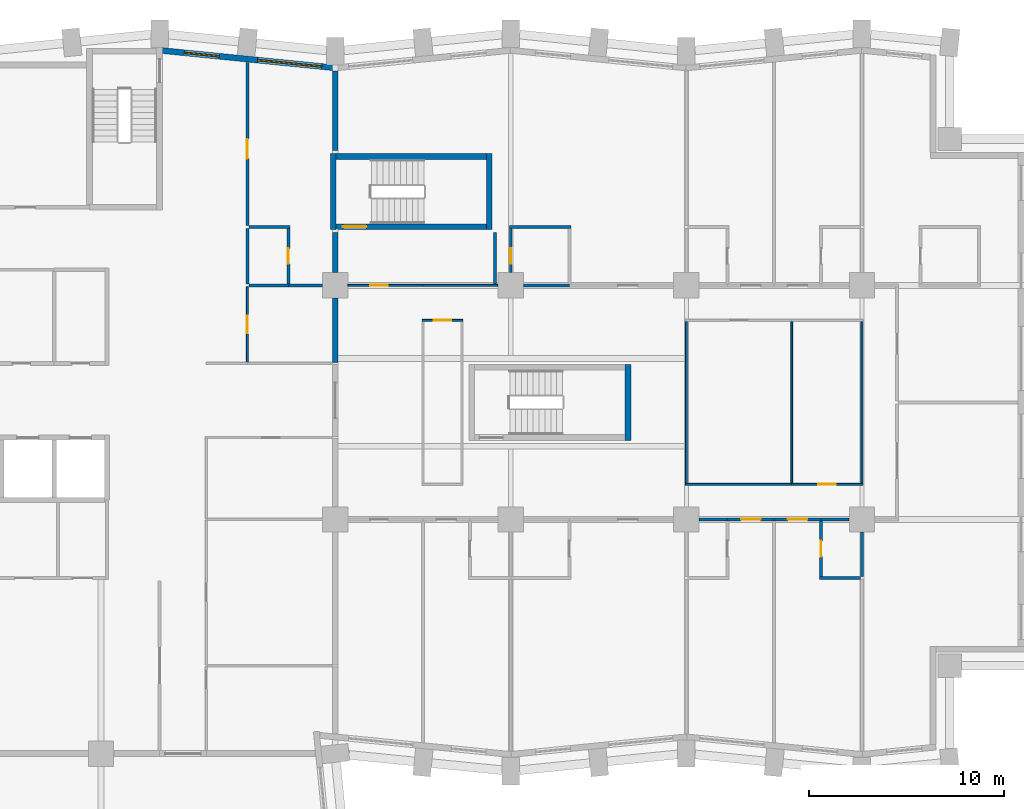
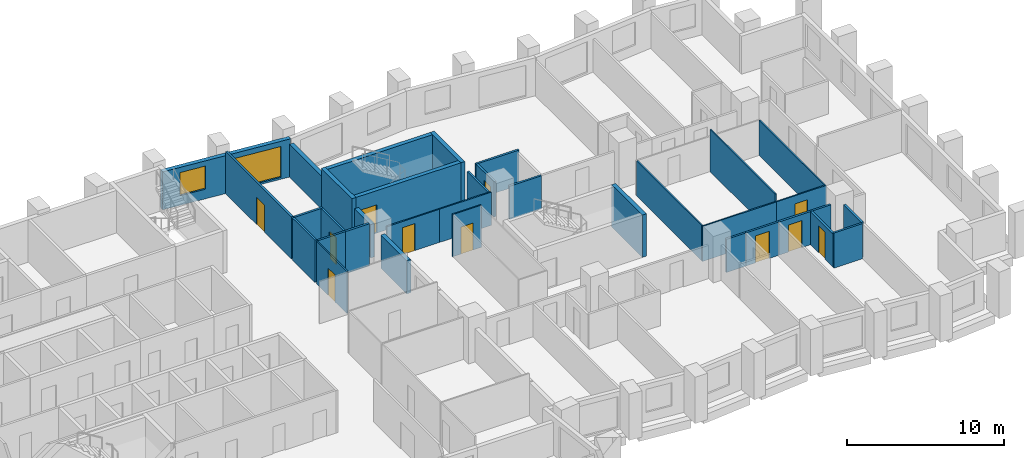
# One storey, part 8 of 13: 35 walls, 11 doors, 2 windows, 13 openings.
"""IFC4 building model written with IfcOpenShell, lengths in metres."""

from ifc_helpers import new_model, si_unit, direction, frame, frame_2d, origin, place, context, subcontext, project, spatial, rectangle, extrude, material, layer, layer_set, type_object, element, fill, save


model = new_model("IFC4")

# Units and contexts
model_context = context("Model", 3, precision=1e-05, world=origin(), true_north=direction((0.0, 1.0)))
body_context = subcontext(model_context, "Body", "Model", "MODEL_VIEW")
ifc_project = project(units=[si_unit("LENGTHUNIT", "METRE"), si_unit("AREAUNIT", "SQUARE_METRE"), si_unit("VOLUMEUNIT", "CUBIC_METRE"), si_unit("PLANEANGLEUNIT", "RADIAN"), si_unit("MASSUNIT", "GRAM", prefix="KILO")], contexts=[model_context])

# Site, building, storey
site_placement = place(None, origin())
site = spatial("IfcSite", under=ifc_project, at=site_placement, CompositionType="ELEMENT")
building_placement = place(site_placement, origin())
building = spatial("IfcBuilding", under=site, at=building_placement, Name="Brondeck Convention Tower", CompositionType="ELEMENT")
storey_placement = place(building_placement, frame((0.0, 0.0, 69.89990234375)))
storey = spatial("IfcBuildingStorey", under=building, at=storey_placement, Name="L15", CompositionType="ELEMENT", Elevation=69.89990234375)

# Walls
ifc_material_1 = material(Name="Concrete compartment wall C30/37", Category="concrete")
ifc_layer_1 = layer(ifc_material_1, 0.300048828125)
ifc_layer_set_1 = layer_set([ifc_layer_1], Name="Compartment wall 300")
wall_type_1 = type_object("IfcWallType", Name="Compartment wall 300", PredefinedType="PARTITIONING", material=ifc_layer_set_1)
wall_1_placement = place(storey_placement, frame((36.0, 50.344970703125, 0.0), z_axis=(0.0, 0.0, 1.0), x_axis=(0.0, -1.0, 0.0)))
element("IfcWall", 1, at=wall_1_placement, inside=storey, type_object=wall_type_1, Name="FLR-L15-W092", PredefinedType="PARTITIONING", context=body_context, shape_type="SweptSolid", body=[
    extrude(rectangle(XDim=3.294921875, YDim=0.300048828125, at=frame_2d((1.6474609375, 0.0))), origin(), (0.0, 0.0, 1.0), 2.580078125),
])
wall_2_placement = place(storey_placement, frame((36.0, 53.699951171875, 0.0), z_axis=(0.0, 0.0, 1.0), x_axis=(0.0, -1.0, 0.0)))
element("IfcWall", 2, at=wall_2_placement, inside=storey, type_object=wall_type_1, Name="FLR-L15-W111", PredefinedType="PARTITIONING", context=body_context, shape_type="SweptSolid", body=[
    extrude(rectangle(XDim=2.044921875, YDim=0.300048828125, at=frame_2d((1.0224609375, 0.0))), origin(), (0.0, 0.0, 1.0), 2.580078125),
])
wall_3_placement = place(storey_placement, frame((36.0, 61.97509765625, 0.0), z_axis=(0.0, 0.0, 1.0), x_axis=(0.0, -1.0, 0.0)))
element("IfcWall", 3, at=wall_3_placement, inside=storey, type_object=wall_type_1, Name="FLR-L15-W124", PredefinedType="PARTITIONING", context=body_context, shape_type="SweptSolid", body=[
    extrude(rectangle(XDim=4.0751953125, YDim=0.300048828125, at=frame_2d((2.03759765625, 0.0))), origin(), (0.0, 0.0, 1.0), 2.580078125),
])

# Wall, openings, windows
ifc_material_2 = material(Name="Precast concrete C50/60 bronze finish", Category="concrete")
ifc_layer_2 = layer(ifc_material_2, 0.070068359375, Name="Bronze precast facing")
ifc_material_3 = material(Name="Mineral wool")
ifc_layer_3 = layer(ifc_material_3, 0.159912109375, Name="Insulation")
ifc_material_4 = material(Name="Concrete C35/45", Category="concrete")
ifc_layer_4 = layer(ifc_material_4, 0.070068359375, Name="Backing")
ifc_layer_set_2 = layer_set([ifc_layer_2, ifc_layer_3, ifc_layer_4], Name="External infill wall, precast concrete C50/60 bronze facing")
wall_type_2 = type_object("IfcWallType", Name="External infill wall, precast concrete C50/60 bronze facing", PredefinedType="SOLIDWALL", material=ifc_layer_set_2)
wall_4_placement = place(storey_placement, frame((27.064697265625, 63.039306640625, 0.0), z_axis=(0.0, 0.0, 1.0), x_axis=(0.995036379926, -0.099511821531, 0.0)))
wall_4 = element("IfcWall", 4, at=wall_4_placement, inside=storey, type_object=wall_type_2, Name="ENV-EW-L15-P0-A-N-07", PredefinedType="SOLIDWALL", context=body_context, shape_type="SweptSolid", body=[
    extrude(rectangle(XDim=8.949951171875, YDim=0.300048828125, at=frame_2d((4.47509765625, 0.0))), origin(), (0.0, 0.0, 1.0), 2.9501953125),
])
opening_1_placement = place(wall_4_placement, frame((1.211181640625, 0.0, 0.75)))
opening_1 = element("IfcOpeningElement", 5, at=opening_1_placement, cuts=wall_4, Name="Opening W10", PredefinedType="OPENING", context=body_context, shape_type="SweptSolid", body=[
    extrude(rectangle(XDim=1.800048828125, YDim=1.800048828125, at=frame_2d((0.89990234375, 0.89990234375))), frame((0.0, 0.159912109375, 0.0), z_axis=(0.0, -1.0, 0.0), x_axis=(1.0, 0.0, 0.0)), (0.0, 0.0, 1.0), 0.320068359375),
])
opening_2_placement = place(wall_4_placement, frame((4.983642578125, 0.0, 0.14990234375)))
opening_2 = element("IfcOpeningElement", 6, at=opening_2_placement, cuts=wall_4, Name="Opening W9", PredefinedType="OPENING", context=body_context, shape_type="SweptSolid", body=[
    extrude(rectangle(XDim=3.300048828125, YDim=2.39990234375, at=frame_2d((1.64990234375, 1.199951171875))), frame((0.0, 0.159912109375, 0.0), z_axis=(0.0, -1.0, 0.0), x_axis=(1.0, 0.0, 0.0)), (0.0, 0.0, 1.0), 0.320068359375),
])
ifc_material_5 = material(Name="Bronze tinted double glazing", Category="glass")
window_type_1 = type_object("IfcWindowType", Name="Glazed flute window, bronze tinted", PartitioningType="SINGLE_PANEL", PredefinedType="WINDOW", material=ifc_material_5)
window_1_placement = place(opening_2_placement, origin())
window_1 = element("IfcWindow", 7, at=window_1_placement, inside=storey, type_object=window_type_1, Name="ENV-WN-L15-P0-A-N-07", OverallHeight=2.39990234375, OverallWidth=3.300048828125, PartitioningType="SINGLE_PANEL", PredefinedType="WINDOW", context=body_context, shape_type="SweptSolid", body=[
    extrude(rectangle(XDim=3.300048828125, YDim=2.39990234375, at=frame_2d((1.64990234375, 1.199951171875))), frame((0.0, 0.030029296875, 0.0), z_axis=(0.0, -1.0, 0.0), x_axis=(1.0, 0.0, 0.0)), (0.0, 0.0, 1.0), 0.06005859375),
])
fill(opening_2, window_1)
window_type_2 = type_object("IfcWindowType", Name="Punched window, bronze tinted", PartitioningType="SINGLE_PANEL", PredefinedType="WINDOW", material=ifc_material_5)
window_2_placement = place(opening_1_placement, origin())
window_2 = element("IfcWindow", 8, at=window_2_placement, inside=storey, type_object=window_type_2, Name="ENV-WN-L15-P0-A-N-06", OverallHeight=1.800048828125, OverallWidth=1.800048828125, PartitioningType="SINGLE_PANEL", PredefinedType="WINDOW", context=body_context, shape_type="SweptSolid", body=[
    extrude(rectangle(XDim=1.800048828125, YDim=1.800048828125, at=frame_2d((0.89990234375, 0.89990234375))), frame((0.0, 0.030029296875, 0.0), z_axis=(0.0, -1.0, 0.0), x_axis=(1.0, 0.0, 0.0)), (0.0, 0.0, 1.0), 0.06005859375),
])
fill(opening_1, window_2)

# Walls
ifc_material_6 = material(Name="Double gypsum board acoustic wall")
ifc_layer_5 = layer(ifc_material_6, 0.14990234375)
ifc_layer_set_3 = layer_set([ifc_layer_5], Name="Guest room party wall 150")
wall_type_3 = type_object("IfcWallType", Name="Guest room party wall 150", PredefinedType="PARTITIONING", material=ifc_layer_set_3)
wall_5_placement = place(storey_placement, frame((60.824951171875, 36.0, 0.0), z_axis=(0.0, 0.0, 1.0), x_axis=(1.0, 0.0, 0.0)))
element("IfcWall", 9, at=wall_5_placement, inside=storey, type_object=wall_type_3, Name="FLR-L15-W050", PredefinedType="PARTITIONING", context=body_context, shape_type="SweptSolid", body=[
    extrude(rectangle(XDim=2.10009765625, YDim=0.14990234375, at=frame_2d((1.050048828125, 0.0))), origin(), (0.0, 0.0, 1.0), 2.72998046875),
])
wall_6_placement = place(storey_placement, frame((63.0, 38.344970703125, 0.0), z_axis=(0.0, 0.0, 1.0), x_axis=(0.0, -1.0, 0.0)))
element("IfcWall", 10, at=wall_6_placement, inside=storey, type_object=wall_type_3, Name="FLR-L15-W056", PredefinedType="PARTITIONING", context=body_context, shape_type="SweptSolid", body=[
    extrude(rectangle(XDim=2.27001953125, YDim=0.14990234375, at=frame_2d((1.135009765625, 0.0))), origin(), (0.0, 0.0, 1.0), 2.72998046875),
])

# Wall, opening, door
wall_7_placement = place(storey_placement, frame((60.89990234375, 38.925048828125, 0.0), z_axis=(0.0, 0.0, 1.0), x_axis=(0.0, -1.0, 0.0)))
wall_7 = element("IfcWall", 11, at=wall_7_placement, inside=storey, type_object=wall_type_3, Name="FLR-L15-W060", PredefinedType="PARTITIONING", context=body_context, shape_type="SweptSolid", body=[
    extrude(rectangle(XDim=2.85009765625, YDim=0.14990234375, at=frame_2d((1.425048828125, 0.0))), origin(), (0.0, 0.0, 1.0), 2.580078125),
])
opening_3_placement = place(wall_7_placement, frame((1.02490234375, 0.0, 0.0)))
opening_3 = element("IfcOpeningElement", 12, at=opening_3_placement, cuts=wall_7, Name="Opening H4-016", PredefinedType="OPENING", context=body_context, shape_type="SweptSolid", body=[
    extrude(rectangle(XDim=0.800048828125, YDim=2.10009765625, at=frame_2d((0.39990234375, 1.050048828125))), frame((0.0, 0.0849609375, 0.0), z_axis=(0.0, -1.0, 0.0), x_axis=(1.0, 0.0, 0.0)), (0.0, 0.0, 1.0), 0.169921875),
])
ifc_material_7 = material(Name="Solid timber door leaf", Category="wood")
door_type_1 = type_object("IfcDoorType", Name="En-suite door 800", OperationType="NOTDEFINED", PredefinedType="DOOR", material=ifc_material_7)
door_1_placement = place(opening_3_placement, origin())
door_1 = element("IfcDoor", 13, at=door_1_placement, inside=storey, type_object=door_type_1, Name="Door H4-016", OperationType="SINGLE_SWING_LEFT", OverallHeight=2.10009765625, OverallWidth=0.800048828125, PredefinedType="DOOR", context=body_context, shape_type="SweptSolid", body=[
    extrude(rectangle(XDim=0.800048828125, YDim=2.10009765625, at=frame_2d((0.39990234375, 1.050048828125))), frame((0.0, 0.02490234375, 0.0), z_axis=(0.0, -1.0, 0.0), x_axis=(1.0, 0.0, 0.0)), (0.0, 0.0, 1.0), 0.050048828125),
])
fill(opening_3, door_1)

# Wall
wall_8_placement = place(storey_placement, frame((56.10009765625, 39.0, 0.0), z_axis=(0.0, 0.0, 1.0), x_axis=(-1.0, 0.0, 0.0)))
element("IfcWall", 14, at=wall_8_placement, inside=storey, type_object=wall_type_3, Name="FLR-L15-W068", PredefinedType="PARTITIONING", context=body_context, shape_type="SweptSolid", body=[
    extrude(rectangle(XDim=1.445068359375, YDim=0.14990234375, at=frame_2d((0.72265625, 0.0))), origin(), (0.0, 0.0, 1.0), 2.580078125),
])

# Wall, opening, door
wall_9_placement = place(storey_placement, frame((58.5, 39.0, 0.0), z_axis=(0.0, 0.0, 1.0), x_axis=(-1.0, 0.0, 0.0)))
wall_9 = element("IfcWall", 15, at=wall_9_placement, inside=storey, type_object=wall_type_3, Name="FLR-L15-W069", PredefinedType="PARTITIONING", context=body_context, shape_type="SweptSolid", body=[
    extrude(rectangle(XDim=2.39990234375, YDim=0.14990234375, at=frame_2d((1.199951171875, 0.0))), origin(), (0.0, 0.0, 1.0), 2.580078125),
])
opening_4_placement = place(wall_9_placement, frame((0.699951171875, 0.0, 0.0)))
opening_4 = element("IfcOpeningElement", 16, at=opening_4_placement, cuts=wall_9, Name="Opening H4-013", PredefinedType="OPENING", context=body_context, shape_type="SweptSolid", body=[
    extrude(rectangle(XDim=1.0, YDim=2.10009765625, at=frame_2d((0.5, 1.050048828125))), frame((0.0, 0.0849609375, 0.0), z_axis=(0.0, -1.0, 0.0), x_axis=(1.0, 0.0, 0.0)), (0.0, 0.0, 1.0), 0.169921875),
])
ifc_material_8 = material(Name="Solid timber fire door leaf", Category="wood")
door_type_2 = type_object("IfcDoorType", Name="Guest room door 1000", OperationType="NOTDEFINED", PredefinedType="DOOR", material=ifc_material_8)
door_2_placement = place(opening_4_placement, origin())
door_2 = element("IfcDoor", 17, at=door_2_placement, inside=storey, type_object=door_type_2, Name="Door H4-013", OperationType="SINGLE_SWING_LEFT", OverallHeight=2.10009765625, OverallWidth=1.0, PredefinedType="DOOR", context=body_context, shape_type="SweptSolid", body=[
    extrude(rectangle(XDim=1.0, YDim=2.10009765625, at=frame_2d((0.5, 1.050048828125))), frame((0.0, 0.02490234375, 0.0), z_axis=(0.0, -1.0, 0.0), x_axis=(1.0, 0.0, 0.0)), (0.0, 0.0, 1.0), 0.050048828125),
])
fill(opening_4, door_2)

wall_10_placement = place(storey_placement, frame((60.89990234375, 39.0, 0.0), z_axis=(0.0, 0.0, 1.0), x_axis=(-1.0, 0.0, 0.0)))
wall_10 = element("IfcWall", 18, at=wall_10_placement, inside=storey, type_object=wall_type_3, Name="FLR-L15-W070", PredefinedType="PARTITIONING", context=body_context, shape_type="SweptSolid", body=[
    extrude(rectangle(XDim=2.39990234375, YDim=0.14990234375, at=frame_2d((1.199951171875, 0.0))), origin(), (0.0, 0.0, 1.0), 2.580078125),
])
opening_5_placement = place(wall_10_placement, frame((0.699951171875, 0.0, 0.0)))
opening_5 = element("IfcOpeningElement", 19, at=opening_5_placement, cuts=wall_10, Name="Opening H4-015", PredefinedType="OPENING", context=body_context, shape_type="SweptSolid", body=[
    extrude(rectangle(XDim=1.0, YDim=2.10009765625, at=frame_2d((0.5, 1.050048828125))), frame((0.0, 0.0849609375, 0.0), z_axis=(0.0, -1.0, 0.0), x_axis=(1.0, 0.0, 0.0)), (0.0, 0.0, 1.0), 0.169921875),
])
door_3_placement = place(opening_5_placement, origin())
door_3 = element("IfcDoor", 20, at=door_3_placement, inside=storey, type_object=door_type_2, Name="Door H4-015", OperationType="SINGLE_SWING_LEFT", OverallHeight=2.10009765625, OverallWidth=1.0, PredefinedType="DOOR", context=body_context, shape_type="SweptSolid", body=[
    extrude(rectangle(XDim=1.0, YDim=2.10009765625, at=frame_2d((0.5, 1.050048828125))), frame((0.0, 0.02490234375, 0.0), z_axis=(0.0, -1.0, 0.0), x_axis=(1.0, 0.0, 0.0)), (0.0, 0.0, 1.0), 0.050048828125),
])
fill(opening_5, door_3)

# Walls
wall_11_placement = place(storey_placement, frame((62.344970703125, 39.0, 0.0), z_axis=(0.0, 0.0, 1.0), x_axis=(-1.0, 0.0, 0.0)))
element("IfcWall", 21, at=wall_11_placement, inside=storey, type_object=wall_type_3, Name="FLR-L15-W071", PredefinedType="PARTITIONING", context=body_context, shape_type="SweptSolid", body=[
    extrude(rectangle(XDim=1.445068359375, YDim=0.14990234375, at=frame_2d((0.72265625, 0.0))), origin(), (0.0, 0.0, 1.0), 2.580078125),
])
wall_12_placement = place(storey_placement, frame((31.574951171875, 51.0, 0.0), z_axis=(0.0, 0.0, 1.0), x_axis=(1.0, 0.0, 0.0)))
element("IfcWall", 22, at=wall_12_placement, inside=storey, type_object=wall_type_3, Name="FLR-L15-W095", PredefinedType="PARTITIONING", context=body_context, shape_type="SweptSolid", body=[
    extrude(rectangle(XDim=2.025146484375, YDim=0.14990234375, at=frame_2d((1.0126953125, 0.0))), origin(), (0.0, 0.0, 1.0), 3.280029296875),
])
wall_13_placement = place(storey_placement, frame((33.60009765625, 51.0, 0.0), z_axis=(0.0, 0.0, 1.0), x_axis=(1.0, 0.0, 0.0)))
element("IfcWall", 23, at=wall_13_placement, inside=storey, type_object=wall_type_3, Name="FLR-L15-W096", PredefinedType="PARTITIONING", context=body_context, shape_type="SweptSolid", body=[
    extrude(rectangle(XDim=1.744873046875, YDim=0.14990234375, at=frame_2d((0.87255859375, 0.0))), origin(), (0.0, 0.0, 1.0), 3.280029296875),
])
wall_14_placement = place(storey_placement, frame((45.655029296875, 51.0, 0.0), z_axis=(0.0, 0.0, 1.0), x_axis=(1.0, 0.0, 0.0)))
element("IfcWall", 24, at=wall_14_placement, inside=storey, type_object=wall_type_3, Name="FLR-L15-W099", PredefinedType="PARTITIONING", context=body_context, shape_type="SweptSolid", body=[
    extrude(rectangle(XDim=2.344970703125, YDim=0.14990234375, at=frame_2d((1.17236328125, 0.0))), origin(), (0.0, 0.0, 1.0), 2.580078125),
])

# Wall, opening, door
wall_15_placement = place(storey_placement, frame((33.60009765625, 51.074951171875, 0.0), z_axis=(0.0, 0.0, 1.0), x_axis=(0.0, 1.0, 0.0)))
wall_15 = element("IfcWall", 25, at=wall_15_placement, inside=storey, type_object=wall_type_3, Name="FLR-L15-W107", PredefinedType="PARTITIONING", context=body_context, shape_type="SweptSolid", body=[
    extrude(rectangle(XDim=2.85009765625, YDim=0.14990234375, at=frame_2d((1.425048828125, 0.0))), origin(), (0.0, 0.0, 1.0), 3.280029296875),
])
opening_6_placement = place(wall_15_placement, frame((1.02490234375, 0.0, 0.0)))
opening_6 = element("IfcOpeningElement", 26, at=opening_6_placement, cuts=wall_15, Name="Opening H4-034", PredefinedType="OPENING", context=body_context, shape_type="SweptSolid", body=[
    extrude(rectangle(XDim=0.800048828125, YDim=2.10009765625, at=frame_2d((0.39990234375, 1.050048828125))), frame((0.0, 0.0849609375, 0.0), z_axis=(0.0, -1.0, 0.0), x_axis=(1.0, 0.0, 0.0)), (0.0, 0.0, 1.0), 0.169921875),
])
door_4_placement = place(opening_6_placement, origin())
door_4 = element("IfcDoor", 27, at=door_4_placement, inside=storey, type_object=door_type_1, Name="Door H4-034", OperationType="SINGLE_SWING_LEFT", OverallHeight=2.10009765625, OverallWidth=0.800048828125, PredefinedType="DOOR", context=body_context, shape_type="SweptSolid", body=[
    extrude(rectangle(XDim=0.800048828125, YDim=2.10009765625, at=frame_2d((0.39990234375, 1.050048828125))), frame((0.0, 0.02490234375, 0.0), z_axis=(0.0, -1.0, 0.0), x_axis=(1.0, 0.0, 0.0)), (0.0, 0.0, 1.0), 0.050048828125),
])
fill(opening_6, door_4)

# Walls
wall_16_placement = place(storey_placement, frame((44.199951171875, 53.699951171875, 0.0), z_axis=(0.0, 0.0, 1.0), x_axis=(0.0, -1.0, 0.0)))
element("IfcWall", 28, at=wall_16_placement, inside=storey, type_object=wall_type_3, Name="FLR-L15-W112", PredefinedType="PARTITIONING", context=body_context, shape_type="SweptSolid", body=[
    extrude(rectangle(XDim=2.625, YDim=0.14990234375, at=frame_2d((1.3125, 0.0))), origin(), (0.0, 0.0, 1.0), 2.580078125),
])
wall_17_placement = place(storey_placement, frame((31.5, 53.925048828125, 0.0), z_axis=(0.0, 0.0, 1.0), x_axis=(0.0, -1.0, 0.0)))
element("IfcWall", 29, at=wall_17_placement, inside=storey, type_object=wall_type_3, Name="FLR-L15-W113", PredefinedType="PARTITIONING", context=body_context, shape_type="SweptSolid", body=[
    extrude(rectangle(XDim=2.85009765625, YDim=0.14990234375, at=frame_2d((1.425048828125, 0.0))), origin(), (0.0, 0.0, 1.0), 3.280029296875),
])

# Wall, opening, door
wall_18_placement = place(storey_placement, frame((45.0, 53.925048828125, 0.0), z_axis=(0.0, 0.0, 1.0), x_axis=(0.0, -1.0, 0.0)))
wall_18 = element("IfcWall", 30, at=wall_18_placement, inside=storey, type_object=wall_type_3, Name="FLR-L15-W114", PredefinedType="PARTITIONING", context=body_context, shape_type="SweptSolid", body=[
    extrude(rectangle(XDim=2.27001953125, YDim=0.14990234375, at=frame_2d((1.135009765625, 0.0))), origin(), (0.0, 0.0, 1.0), 2.72998046875),
])
opening_7_placement = place(wall_18_placement, frame((1.02490234375, 0.0, 0.0)))
opening_7 = element("IfcOpeningElement", 31, at=opening_7_placement, cuts=wall_18, Name="Opening H4-003", PredefinedType="OPENING", context=body_context, shape_type="SweptSolid", body=[
    extrude(rectangle(XDim=0.800048828125, YDim=2.10009765625, at=frame_2d((0.39990234375, 1.050048828125))), frame((0.0, 0.0849609375, 0.0), z_axis=(0.0, -1.0, 0.0), x_axis=(1.0, 0.0, 0.0)), (0.0, 0.0, 1.0), 0.169921875),
])
door_5_placement = place(opening_7_placement, origin())
door_5 = element("IfcDoor", 32, at=door_5_placement, inside=storey, type_object=door_type_1, Name="Door H4-003", OperationType="SINGLE_SWING_RIGHT", OverallHeight=2.10009765625, OverallWidth=0.800048828125, PredefinedType="DOOR", context=body_context, shape_type="SweptSolid", body=[
    extrude(rectangle(XDim=0.800048828125, YDim=2.10009765625, at=frame_2d((0.39990234375, 1.050048828125))), frame((0.0, 0.02490234375, 0.0), z_axis=(0.0, -1.0, 0.0), x_axis=(1.0, 0.0, 0.0)), (0.0, 0.0, 1.0), 0.050048828125),
])
fill(opening_7, door_5)

# Walls
wall_19_placement = place(storey_placement, frame((33.675048828125, 54.0, 0.0), z_axis=(0.0, 0.0, 1.0), x_axis=(-1.0, 0.0, 0.0)))
element("IfcWall", 33, at=wall_19_placement, inside=storey, type_object=wall_type_3, Name="FLR-L15-W119", PredefinedType="PARTITIONING", context=body_context, shape_type="SweptSolid", body=[
    extrude(rectangle(XDim=2.10009765625, YDim=0.14990234375, at=frame_2d((1.050048828125, 0.0))), origin(), (0.0, 0.0, 1.0), 3.280029296875),
])
wall_20_placement = place(storey_placement, frame((48.074951171875, 54.0, 0.0), z_axis=(0.0, 0.0, 1.0), x_axis=(-1.0, 0.0, 0.0)))
element("IfcWall", 34, at=wall_20_placement, inside=storey, type_object=wall_type_3, Name="FLR-L15-W120", PredefinedType="PARTITIONING", context=body_context, shape_type="SweptSolid", body=[
    extrude(rectangle(XDim=3.14990234375, YDim=0.14990234375, at=frame_2d((1.574951171875, 0.0))), origin(), (0.0, 0.0, 1.0), 2.72998046875),
])

# Wall, opening, door
wall_21_placement = place(storey_placement, frame((31.5, 62.425048828125, 0.0), z_axis=(0.0, 0.0, 1.0), x_axis=(0.0, -1.0, 0.0)))
wall_21 = element("IfcWall", 35, at=wall_21_placement, inside=storey, type_object=wall_type_3, Name="FLR-L15-W126", PredefinedType="PARTITIONING", context=body_context, shape_type="SweptSolid", body=[
    extrude(rectangle(XDim=8.35009765625, YDim=0.14990234375, at=frame_2d((4.175048828125, 0.0))), origin(), (0.0, 0.0, 1.0), 3.280029296875),
])
opening_8_placement = place(wall_21_placement, frame((3.925048828125, 0.0, 0.0)))
opening_8 = element("IfcOpeningElement", 36, at=opening_8_placement, cuts=wall_21, Name="Opening H4-033", PredefinedType="OPENING", context=body_context, shape_type="SweptSolid", body=[
    extrude(rectangle(XDim=1.0, YDim=2.10009765625, at=frame_2d((0.5, 1.050048828125))), frame((0.0, 0.0849609375, 0.0), z_axis=(0.0, -1.0, 0.0), x_axis=(1.0, 0.0, 0.0)), (0.0, 0.0, 1.0), 0.169921875),
])
door_6_placement = place(opening_8_placement, origin())
door_6 = element("IfcDoor", 37, at=door_6_placement, inside=storey, type_object=door_type_2, Name="Door H4-033", OperationType="SINGLE_SWING_LEFT", OverallHeight=2.10009765625, OverallWidth=1.0, PredefinedType="DOOR", context=body_context, shape_type="SweptSolid", body=[
    extrude(rectangle(XDim=1.0, YDim=2.10009765625, at=frame_2d((0.5, 1.050048828125))), frame((0.0, 0.02490234375, 0.0), z_axis=(0.0, -1.0, 0.0), x_axis=(1.0, 0.0, 0.0)), (0.0, 0.0, 1.0), 0.050048828125),
])
fill(opening_8, door_6)

# Wall
ifc_material_9 = material(Name="Gypsum board partition on steel studs", Category="steel")
ifc_layer_6 = layer(ifc_material_9, 0.10009765625)
ifc_layer_set_4 = layer_set([ifc_layer_6], Name="Room partition 100")
wall_type_4 = type_object("IfcWallType", Name="Room partition 100", PredefinedType="PARTITIONING", material=ifc_layer_set_4)
wall_22_placement = place(storey_placement, frame((53.949951171875, 40.800048828125, 0.0), z_axis=(0.0, 0.0, 1.0), x_axis=(1.0, 0.0, 0.0)))
element("IfcWall", 38, at=wall_22_placement, inside=storey, type_object=wall_type_4, Name="FLR-L15-W074", PredefinedType="PARTITIONING", context=body_context, shape_type="SweptSolid", body=[
    extrude(rectangle(XDim=5.449951171875, YDim=0.10009765625, at=frame_2d((2.72509765625, 0.0))), origin(), (0.0, 0.0, 1.0), 2.72998046875),
])

# Wall, opening, door
wall_23_placement = place(storey_placement, frame((59.39990234375, 40.800048828125, 0.0), z_axis=(0.0, 0.0, 1.0), x_axis=(1.0, 0.0, 0.0)))
wall_23 = element("IfcWall", 39, at=wall_23_placement, inside=storey, type_object=wall_type_4, Name="FLR-L15-W075", PredefinedType="PARTITIONING", context=body_context, shape_type="SweptSolid", body=[
    extrude(rectangle(XDim=3.650146484375, YDim=0.10009765625, at=frame_2d((1.8251953125, 0.0))), origin(), (0.0, 0.0, 1.0), 2.72998046875),
])
opening_9_placement = place(wall_23_placement, frame((1.35009765625, 0.0, 0.0)))
opening_9 = element("IfcOpeningElement", 40, at=opening_9_placement, cuts=wall_23, Name="Opening H4-019", PredefinedType="OPENING", context=body_context, shape_type="SweptSolid", body=[
    extrude(rectangle(XDim=0.89990234375, YDim=2.10009765625, at=frame_2d((0.449951171875, 1.050048828125))), frame((0.0, 0.06005859375, 0.0), z_axis=(0.0, -1.0, 0.0), x_axis=(1.0, 0.0, 0.0)), (0.0, 0.0, 1.0), 0.1201171875),
])
door_type_3 = type_object("IfcDoorType", Name="Single door 900", OperationType="NOTDEFINED", PredefinedType="DOOR", material=ifc_material_7)
door_7_placement = place(opening_9_placement, origin())
door_7 = element("IfcDoor", 41, at=door_7_placement, inside=storey, type_object=door_type_3, Name="Door H4-019", OperationType="SINGLE_SWING_RIGHT", OverallHeight=2.10009765625, OverallWidth=0.89990234375, PredefinedType="DOOR", context=body_context, shape_type="SweptSolid", body=[
    extrude(rectangle(XDim=0.89990234375, YDim=2.10009765625, at=frame_2d((0.449951171875, 1.050048828125))), frame((0.0, 0.02490234375, 0.0), z_axis=(0.0, -1.0, 0.0), x_axis=(1.0, 0.0, 0.0)), (0.0, 0.0, 1.0), 0.050048828125),
])
fill(opening_9, door_7)

# Walls
for number, where, z_axis, x_axis, name in (
    (42, (63.0, 40.85009765625, 0.0), (0.0, 0.0, 1.0), (0.0, 1.0, 0.0), "FLR-L15-W076"),
    (43, (54.0, 49.14990234375, 0.0), (0.0, 0.0, 1.0), (0.0, -1.0, 0.0), "FLR-L15-W087"),
):
    element("IfcWall", number, at=place(storey_placement, frame(where, z_axis=z_axis, x_axis=x_axis)), inside=storey, type_object=wall_type_4, Name=name, PredefinedType="PARTITIONING", context=body_context, shape_type="SweptSolid", body=[
        extrude(rectangle(XDim=8.2998046875, YDim=0.10009765625, at=frame_2d((4.14990234375, 0.0))), origin(), (0.0, 0.0, 1.0), 2.72998046875),
    ])
wall_24_placement = place(storey_placement, frame((59.39990234375, 49.14990234375, 0.0), z_axis=(0.0, 0.0, 1.0), x_axis=(0.0, -1.0, 0.0)))
element("IfcWall", 44, at=wall_24_placement, inside=storey, type_object=wall_type_4, Name="FLR-L15-W088", PredefinedType="PARTITIONING", context=body_context, shape_type="SweptSolid", body=[
    extrude(rectangle(XDim=8.2998046875, YDim=0.10009765625, at=frame_2d((4.14990234375, 0.0))), origin(), (0.0, 0.0, 1.0), 3.280029296875),
])

# Wall, opening, door
wall_25_placement = place(storey_placement, frame((42.550048828125, 49.199951171875, 0.0), z_axis=(0.0, 0.0, 1.0), x_axis=(-1.0, 0.0, 0.0)))
wall_25 = element("IfcWall", 45, at=wall_25_placement, inside=storey, type_object=wall_type_4, Name="FLR-L15-W089", PredefinedType="PARTITIONING", context=body_context, shape_type="SweptSolid", body=[
    extrude(rectangle(XDim=2.10009765625, YDim=0.10009765625, at=frame_2d((1.050048828125, 0.0))), origin(), (0.0, 0.0, 1.0), 3.280029296875),
])
opening_10_placement = place(wall_25_placement, frame((0.60009765625, 0.0, 0.0)))
opening_10 = element("IfcOpeningElement", 46, at=opening_10_placement, cuts=wall_25, Name="Opening H4-017", PredefinedType="OPENING", context=body_context, shape_type="SweptSolid", body=[
    extrude(rectangle(XDim=0.89990234375, YDim=2.10009765625, at=frame_2d((0.449951171875, 1.050048828125))), frame((0.0, 0.06005859375, 0.0), z_axis=(0.0, -1.0, 0.0), x_axis=(1.0, 0.0, 0.0)), (0.0, 0.0, 1.0), 0.1201171875),
])
door_8_placement = place(opening_10_placement, origin())
door_8 = element("IfcDoor", 47, at=door_8_placement, inside=storey, type_object=door_type_3, Name="Door H4-017", OperationType="SINGLE_SWING_LEFT", OverallHeight=2.10009765625, OverallWidth=0.89990234375, PredefinedType="DOOR", context=body_context, shape_type="SweptSolid", body=[
    extrude(rectangle(XDim=0.89990234375, YDim=2.10009765625, at=frame_2d((0.449951171875, 1.050048828125))), frame((0.0, 0.02490234375, 0.0), z_axis=(0.0, -1.0, 0.0), x_axis=(1.0, 0.0, 0.0)), (0.0, 0.0, 1.0), 0.050048828125),
])
fill(opening_10, door_8)

wall_26_placement = place(storey_placement, frame((31.5, 50.925048828125, 0.0), z_axis=(0.0, 0.0, 1.0), x_axis=(0.0, -1.0, 0.0)))
wall_26 = element("IfcWall", 48, at=wall_26_placement, inside=storey, type_object=wall_type_4, Name="FLR-L15-W093", PredefinedType="PARTITIONING", context=body_context, shape_type="SweptSolid", body=[
    extrude(rectangle(XDim=3.875, YDim=0.10009765625, at=frame_2d((1.9375, 0.0))), origin(), (0.0, 0.0, 1.0), 3.280029296875),
])
opening_11_placement = place(wall_26_placement, frame((1.47509765625, 0.0, 0.0)))
opening_11 = element("IfcOpeningElement", 49, at=opening_11_placement, cuts=wall_26, Name="Opening H4-035", PredefinedType="OPENING", context=body_context, shape_type="SweptSolid", body=[
    extrude(rectangle(XDim=0.89990234375, YDim=2.10009765625, at=frame_2d((0.449951171875, 1.050048828125))), frame((0.0, 0.06005859375, 0.0), z_axis=(0.0, -1.0, 0.0), x_axis=(1.0, 0.0, 0.0)), (0.0, 0.0, 1.0), 0.1201171875),
])
door_9_placement = place(opening_11_placement, origin())
door_9 = element("IfcDoor", 50, at=door_9_placement, inside=storey, type_object=door_type_3, Name="Door H4-035", OperationType="SINGLE_SWING_LEFT", OverallHeight=2.10009765625, OverallWidth=0.89990234375, PredefinedType="DOOR", context=body_context, shape_type="SweptSolid", body=[
    extrude(rectangle(XDim=0.89990234375, YDim=2.10009765625, at=frame_2d((0.449951171875, 1.050048828125))), frame((0.0, 0.02490234375, 0.0), z_axis=(0.0, -1.0, 0.0), x_axis=(1.0, 0.0, 0.0)), (0.0, 0.0, 1.0), 0.050048828125),
])
fill(opening_11, door_9)

wall_27_placement = place(storey_placement, frame((40.5, 51.0, 0.0), z_axis=(0.0, 0.0, 1.0), x_axis=(-1.0, 0.0, 0.0)))
wall_27 = element("IfcWall", 51, at=wall_27_placement, inside=storey, type_object=wall_type_4, Name="FLR-L15-W097", PredefinedType="PARTITIONING", context=body_context, shape_type="SweptSolid", body=[
    extrude(rectangle(XDim=3.844970703125, YDim=0.10009765625, at=frame_2d((1.92236328125, 0.0))), origin(), (0.0, 0.0, 1.0), 2.580078125),
])
opening_12_placement = place(wall_27_placement, frame((1.800048828125, 0.0, 0.0)))
opening_12 = element("IfcOpeningElement", 52, at=opening_12_placement, cuts=wall_27, Name="Opening H4-001", PredefinedType="OPENING", context=body_context, shape_type="SweptSolid", body=[
    extrude(rectangle(XDim=0.89990234375, YDim=2.10009765625, at=frame_2d((0.449951171875, 1.050048828125))), frame((0.0, 0.06005859375, 0.0), z_axis=(0.0, -1.0, 0.0), x_axis=(1.0, 0.0, 0.0)), (0.0, 0.0, 1.0), 0.1201171875),
])
door_10_placement = place(opening_12_placement, origin())
door_10 = element("IfcDoor", 53, at=door_10_placement, inside=storey, type_object=door_type_3, Name="Door H4-001", OperationType="SINGLE_SWING_LEFT", OverallHeight=2.10009765625, OverallWidth=0.89990234375, PredefinedType="DOOR", context=body_context, shape_type="SweptSolid", body=[
    extrude(rectangle(XDim=0.89990234375, YDim=2.10009765625, at=frame_2d((0.449951171875, 1.050048828125))), frame((0.0, 0.02490234375, 0.0), z_axis=(0.0, -1.0, 0.0), x_axis=(1.0, 0.0, 0.0)), (0.0, 0.0, 1.0), 0.050048828125),
])
fill(opening_12, door_10)

# Wall
wall_28_placement = place(storey_placement, frame((44.330078125, 51.0, 0.0), z_axis=(0.0, 0.0, 1.0), x_axis=(-1.0, 0.0, 0.0)))
element("IfcWall", 54, at=wall_28_placement, inside=storey, type_object=wall_type_4, Name="FLR-L15-W098", PredefinedType="PARTITIONING", context=body_context, shape_type="SweptSolid", body=[
    extrude(rectangle(XDim=3.830078125, YDim=0.10009765625, at=frame_2d((1.9150390625, 0.0))), origin(), (0.0, 0.0, 1.0), 2.580078125),
])

# Wall, opening, door
ifc_material_10 = material(Name="Concrete C80/95", Category="concrete")
ifc_layer_7 = layer(ifc_material_10, 0.300048828125)
ifc_layer_set_5 = layer_set([ifc_layer_7], Name="Stair enclosure wall 300 Concrete C80/95")
wall_type_5 = type_object("IfcWallType", Name="Stair enclosure wall 300 Concrete C80/95", PredefinedType="SHEAR", material=ifc_layer_set_5)
wall_29_placement = place(storey_placement, frame((36.050048828125, 54.0, 0.0), z_axis=(0.0, 0.0, 1.0), x_axis=(1.0, 0.0, 0.0)))
wall_29 = element("IfcWall", 55, at=wall_29_placement, inside=storey, type_object=wall_type_5, Name="L15 core wall", PredefinedType="SHEAR", context=body_context, shape_type="SweptSolid", body=[
    extrude(rectangle(XDim=7.699951171875, YDim=0.300048828125, at=frame_2d((3.85009765625, 0.0))), origin(), (0.0, 0.0, 1.0), 3.300048828125),
])
opening_13_placement = place(wall_29_placement, frame((0.35009765625, 0.0, 0.0)))
opening_13 = element("IfcOpeningElement", 56, at=opening_13_placement, cuts=wall_29, Name="Opening C11-19", PredefinedType="OPENING", context=body_context, shape_type="SweptSolid", body=[
    extrude(rectangle(XDim=1.199951171875, YDim=2.199951171875, at=frame_2d((0.60009765625, 1.10009765625))), frame((0.0, 0.159912109375, 0.0), z_axis=(0.0, -1.0, 0.0), x_axis=(1.0, 0.0, 0.0)), (0.0, 0.0, 1.0), 0.320068359375),
])
ifc_material_11 = material(Name="Steel fire door", Category="steel")
door_type_4 = type_object("IfcDoorType", Name="Stair door 1200x2200 EI 90", OperationType="NOTDEFINED", PredefinedType="DOOR", material=ifc_material_11)
door_11_placement = place(opening_13_placement, origin())
door_11 = element("IfcDoor", 57, at=door_11_placement, inside=storey, type_object=door_type_4, Name="L15 Stair door ST-AE", OperationType="SINGLE_SWING_LEFT", OverallHeight=2.199951171875, OverallWidth=1.199951171875, PredefinedType="DOOR", context=body_context, shape_type="SweptSolid", body=[
    extrude(rectangle(XDim=1.199951171875, YDim=2.199951171875, at=frame_2d((0.60009765625, 1.10009765625))), frame((0.0, 0.02490234375, 0.0), z_axis=(0.0, -1.0, 0.0), x_axis=(1.0, 0.0, 0.0)), (0.0, 0.0, 1.0), 0.050048828125),
])
fill(opening_13, door_11)

# Walls
wall_30_placement = place(storey_placement, frame((36.050048828125, 57.60009765625, 0.0), z_axis=(0.0, 0.0, 1.0), x_axis=(1.0, 0.0, 0.0)))
element("IfcWall", 58, at=wall_30_placement, inside=storey, type_object=wall_type_5, Name="L15 core wall", PredefinedType="SHEAR", context=body_context, shape_type="SweptSolid", body=[
    extrude(rectangle(XDim=7.699951171875, YDim=0.300048828125, at=frame_2d((3.85009765625, 0.0))), origin(), (0.0, 0.0, 1.0), 3.300048828125),
])
for number, where, z_axis, x_axis, name in (
    (59, (35.89990234375, 53.85009765625, 0.0), (0.0, 0.0, 1.0), (0.0, 1.0, 0.0), "L15 core wall"),
    (60, (43.89990234375, 53.85009765625, 0.0), (0.0, 0.0, 1.0), (0.0, 1.0, 0.0), "L15 core wall"),
    (61, (51.0, 43.050048828125, 0.0), (0.0, 0.0, 1.0), (0.0, 1.0, 0.0), "L15 core wall"),
):
    element("IfcWall", number, at=place(storey_placement, frame(where, z_axis=z_axis, x_axis=x_axis)), inside=storey, type_object=wall_type_5, Name=name, PredefinedType="SHEAR", context=body_context, shape_type="SweptSolid", body=[
        extrude(rectangle(XDim=3.89990234375, YDim=0.300048828125, at=frame_2d((1.949951171875, 0.0))), origin(), (0.0, 0.0, 1.0), 3.300048828125),
    ])

save(model, "model.ifc")
